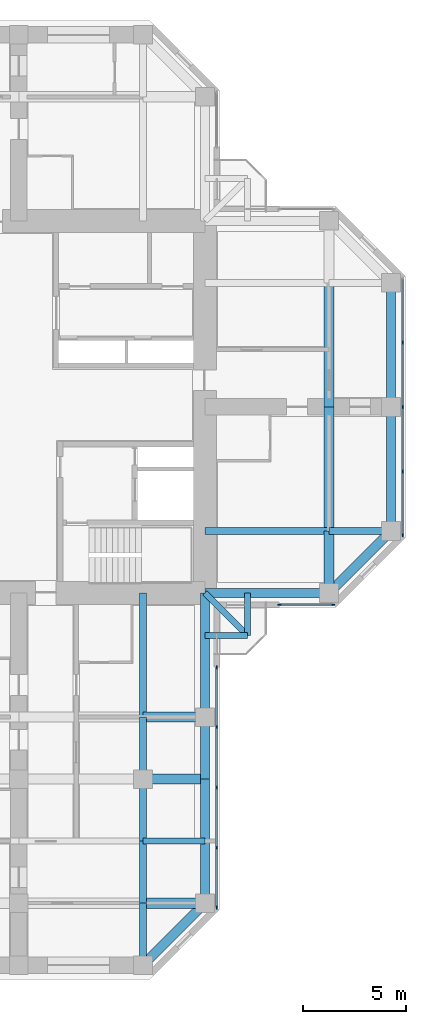
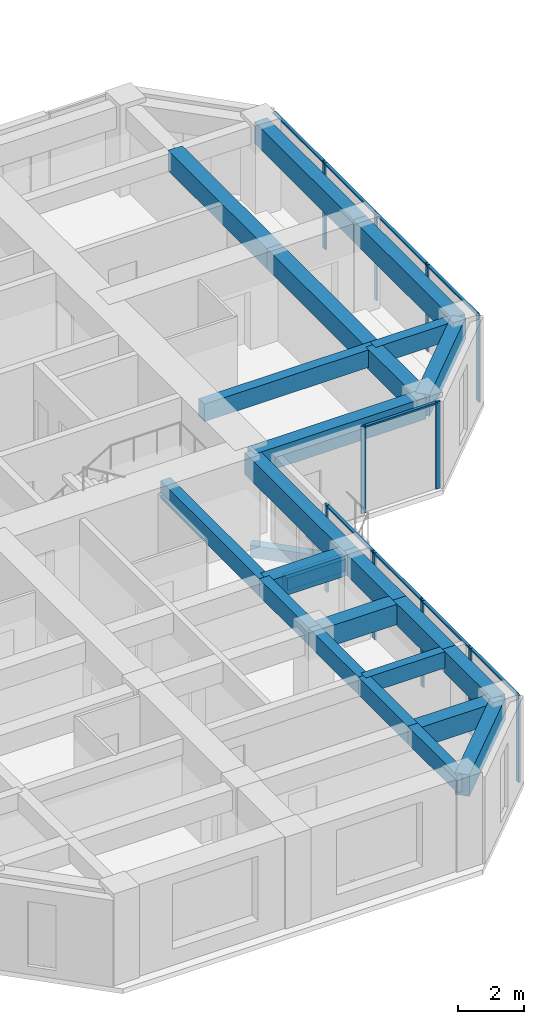
# One storey, part 4 of 13: 26 beams, 20 members, 3 elements without a shape of their own.
"""IFC4 building model written with IfcOpenShell, lengths in metres."""

import ifcopenshell
import ifcopenshell.guid

model = None  # the IFC model being written
_history = None  # IfcOwnerHistory: only IFC2X3 demands one
_inside = {}  # id of a spatial element -> (the spatial element, [elements in it])
_under = {}  # id of a project, library or spatial element -> (it, [spatial elements below it])
_declared = {}  # id of a project -> (the project, [libraries it declares])
_typed = {}  # id of a type object -> (the type object, [elements of that type])
_made_of = {}  # id of a material, layer set ... -> (it, [elements and type objects made of it])


def new_model(schema):
    """Start an empty IFC model of exactly this schema.

    Asked for "IFC4X3", IfcOpenShell would pick the latest addendum, in which some entities
    have other attributes; the version numbers below select the first issue.
    IFC2X3 requires an IfcOwnerHistory on every rooted entity: one is made here for all.
    """
    global model, _history
    if schema == "IFC4X3":
        model = ifcopenshell.file(schema_version=(4, 3, 0, 0))
    else:
        model = ifcopenshell.file(schema=schema)
    _inside.clear()
    _under.clear()
    _declared.clear()
    _typed.clear()
    _made_of.clear()
    _history = None
    if model.schema == "IFC2X3":
        org = make("IfcOrganization", Name="unknown")
        user = make(
            "IfcPersonAndOrganization",
            ThePerson=make("IfcPerson", FamilyName="unknown"),
            TheOrganization=org,
        )
        app = make(
            "IfcApplication",
            ApplicationDeveloper=org,
            Version="unknown",
            ApplicationFullName="unknown",
            ApplicationIdentifier="unknown",
        )
        _history = make(
            "IfcOwnerHistory",
            OwningUser=user,
            OwningApplication=app,
            ChangeAction="ADDED",
            CreationDate=0,
        )
    return model


def make(cls, **values):
    """One entity of the class cls with the attributes given. An attribute that is None is left unset."""
    return model.create_entity(
        cls, **{name: value for name, value in values.items() if value is not None}
    )


def rooted(cls, **values):
    """An entity with a GlobalId (a new one), such as an element, a storey or a relation."""
    return make(cls, GlobalId=ifcopenshell.guid.new(), OwnerHistory=_history, **values)


def si_unit(unit_type, name, prefix=None):
    """IfcSIUnit, for example si_unit("LENGTHUNIT", "METRE", prefix="MILLI")."""
    return make("IfcSIUnit", UnitType=unit_type, Prefix=prefix, Name=name)


def assignment(units):
    """IfcUnitAssignment: the units of a project."""
    return None if units is None else make("IfcUnitAssignment", Units=units)


def point(xyz):
    """IfcCartesianPoint."""
    return None if xyz is None else make("IfcCartesianPoint", Coordinates=xyz)


def direction(xyz):
    """IfcDirection."""
    return None if xyz is None else make("IfcDirection", DirectionRatios=xyz)


def frame(location, z_axis=None, x_axis=None):
    """IfcAxis2Placement3D, a coordinate frame: its origin and axes. An axis left out is left unset."""
    return make(
        "IfcAxis2Placement3D",
        Location=point(location),
        Axis=direction(z_axis),
        RefDirection=direction(x_axis),
    )


def frame_2d(location, x_axis=None):
    """IfcAxis2Placement2D, a coordinate frame in the plane: its origin and x axis."""
    return make(
        "IfcAxis2Placement2D", Location=point(location), RefDirection=direction(x_axis)
    )


def origin():
    """The frame at (0, 0, 0) with its axes left unset."""
    return frame((0.0, 0.0, 0.0))


def origin_2d():
    """The frame at (0, 0) in the plane with its x axis left unset."""
    return frame_2d((0.0, 0.0))


def place(relative_to, where):
    """IfcLocalPlacement: puts the frame where relative to a parent placement (None: the world)."""
    return make(
        "IfcLocalPlacement", PlacementRelTo=relative_to, RelativePlacement=where
    )


def context(
    kind, dimensions, precision=None, world=None, true_north=None, identifier=None
):
    """IfcGeometricRepresentationContext, for example the 3D "Model" context."""
    return make(
        "IfcGeometricRepresentationContext",
        ContextIdentifier=identifier,
        ContextType=kind,
        CoordinateSpaceDimension=dimensions,
        Precision=precision,
        WorldCoordinateSystem=world,
        TrueNorth=true_north,
    )


def subcontext(parent, identifier, kind, view, scale=None):
    """IfcGeometricRepresentationSubContext, for example "Body" below "Model"."""
    return make(
        "IfcGeometricRepresentationSubContext",
        ContextIdentifier=identifier,
        ContextType=kind,
        ParentContext=parent,
        TargetScale=scale,
        TargetView=view,
    )


def project(units=None, contexts=None):
    """IfcProject with its units and contexts."""
    return rooted(
        "IfcProject",
        Name="project",
        RepresentationContexts=contexts,
        UnitsInContext=assignment(units),
    )


def spatial(cls, under=None, at=None, **own):
    """A site, building, storey or space (cls), placed at a placement, below another one or the project."""
    s = rooted(cls, ObjectPlacement=at, **own)
    if under is not None:
        _under.setdefault(under.id(), (under, []))[1].append(s)
    return s


def profile(cls, at=None, kind="AREA", **sizes):
    """A parametric profile (cls). Its sizes go by their IFC names, for example OverallWidth=200.0."""
    return make(cls, ProfileType=kind, Position=at, **sizes)


def rectangle(**sizes):
    """IfcRectangleProfileDef."""
    return profile("IfcRectangleProfileDef", **sizes)


def extrude(swept, where, along, depth):
    """IfcExtrudedAreaSolid: the profile swept, set in the frame where, extruded along a direction by depth."""
    return make(
        "IfcExtrudedAreaSolid",
        SweptArea=swept,
        Position=where,
        ExtrudedDirection=direction(along),
        Depth=depth,
    )


def shape(context_of_items, identifier, shape_type, items):
    """IfcShapeRepresentation: the items that make up one representation, for example the "Body"."""
    return make(
        "IfcShapeRepresentation",
        ContextOfItems=context_of_items,
        RepresentationIdentifier=identifier,
        RepresentationType=shape_type,
        Items=items,
    )


def material(Name=None, Category=None):
    """IfcMaterial."""
    return make("IfcMaterial", Name=Name, Category=Category)


def material_profile(
    of_material, cross_section, Name=None, Category=None, Priority=None
):
    """IfcMaterialProfile: a cross section and its material."""
    return make(
        "IfcMaterialProfile",
        Name=Name,
        Material=of_material,
        Profile=cross_section,
        Priority=Priority,
        Category=Category,
    )


def profile_set(profiles, Name=None, composite=None):
    """IfcMaterialProfileSet."""
    return make(
        "IfcMaterialProfileSet",
        Name=Name,
        MaterialProfiles=profiles,
        CompositeProfile=composite,
    )


def made_of(thing, what):
    """Note that an element or type object is made of a material, layer set ...; save() writes the relation."""
    if what is not None:
        _made_of.setdefault(what.id(), (what, []))[1].append(thing)
    return thing


def type_object(cls, material=None, **own):
    """A type object (cls), such as IfcWallType, which elements share."""
    return made_of(rooted(cls, **own), material)


def element(
    cls,
    number,
    at=None,
    inside=None,
    cuts=None,
    type_object=None,
    material=None,
    context=None,
    identifier="Body",
    shape_type=None,
    held_by="IfcProductDefinitionShape",
    body=None,
    shapes=None,
    **own,
):
    """One element of the class cls, such as IfcWall. Its Tag is "e" and its number.

    at: its placement. inside: the storey or other place that contains it. cuts: it is an
    opening in that element (IfcRelVoidsElement). A single representation is given by context,
    identifier, shape_type and body (its items); several are given by shapes. held_by: the class
    of the entity that holds the representations. save() writes the other relations.
    """
    e = rooted(cls, Tag="e%d" % number, ObjectPlacement=at, **own)
    if body is not None:
        shapes = [shape(context, identifier, shape_type, body)]
    if shapes is not None:
        e.Representation = make(held_by, Representations=shapes)
    if inside is not None:
        _inside.setdefault(inside.id(), (inside, []))[1].append(e)
    if cuts is not None:
        rooted(
            "IfcRelVoidsElement", RelatingBuildingElement=cuts, RelatedOpeningElement=e
        )
    if type_object is not None:
        _typed.setdefault(type_object.id(), (type_object, []))[1].append(e)
    return made_of(e, material)


def aggregate(whole, parts):
    """IfcRelAggregates: a whole, such as a stair, and the parts it consists of."""
    return rooted("IfcRelAggregates", RelatingObject=whole, RelatedObjects=parts)


def save(model, path):
    """Write the relations noted so far, then the file.

    IfcRelAggregates (storeys below a building ...), IfcRelContainedInSpatialStructure (elements
    in a storey), IfcRelDefinesByType, IfcRelAssociatesMaterial and IfcRelDeclares: one each for
    every whole, place, type object, material and project.
    """
    for whole, parts in _under.values():
        aggregate(whole, parts)
    for where, things in _inside.values():
        rooted(
            "IfcRelContainedInSpatialStructure",
            RelatedElements=things,
            RelatingStructure=where,
        )
    for kind, things in _typed.values():
        rooted("IfcRelDefinesByType", RelatedObjects=things, RelatingType=kind)
    for what, things in _made_of.values():
        rooted("IfcRelAssociatesMaterial", RelatedObjects=things, RelatingMaterial=what)
    for by, libraries in _declared.values():
        rooted("IfcRelDeclares", RelatingContext=by, RelatedDefinitions=libraries)
    model.write(path)


model = new_model("IFC4")

# Units and contexts
model_context = context("Model", 3, precision=1e-05, world=origin(), true_north=direction((0.0, 1.0)))
body_context = subcontext(model_context, "Body", "Model", "MODEL_VIEW")
ifc_project = project(units=[si_unit("LENGTHUNIT", "METRE"), si_unit("AREAUNIT", "SQUARE_METRE"), si_unit("VOLUMEUNIT", "CUBIC_METRE"), si_unit("PLANEANGLEUNIT", "RADIAN"), si_unit("MASSUNIT", "GRAM", prefix="KILO")], contexts=[model_context])

# Site, building, storey
site_placement = place(None, origin())
site = spatial("IfcSite", under=ifc_project, at=site_placement, CompositionType="ELEMENT")
building_placement = place(site_placement, origin())
building = spatial("IfcBuilding", under=site, at=building_placement, Name="Torre Cruceta", CompositionType="ELEMENT")
storey_placement = place(building_placement, frame((0.0, 0.0, 193.300048828125)))
storey = spatial("IfcBuildingStorey", under=building, at=storey_placement, Name="L48", CompositionType="ELEMENT", Elevation=193.300048828125)

# Beams
ifc_material_1 = material(Name="Concrete G60 (fck 60 MPa)", Category="concrete")
ifc_material_profile_1 = material_profile(ifc_material_1, rectangle(XDim=0.300048828125, YDim=0.449951171875, at=origin_2d()), Name="RC 300X450")
ifc_profile_set_1 = profile_set([ifc_material_profile_1], Name="Concrete G60 (fck 60 MPa)")
beam_type_1 = type_object("IfcBeamType", Name="BALCONY CANTILEVER BEAM RC 300X450", PredefinedType="BEAM", material=ifc_profile_set_1)
beam_1_placement = place(storey_placement, frame((9.0, -9.0, -0.405029296875), z_axis=(0.707106781187, -0.707106781187, 0.0), x_axis=(0.707106781187, 0.707106781187, 0.0)))
element("IfcBeam", 1, at=beam_1_placement, inside=storey, type_object=beam_type_1, Name="BB1 balcony beam L48 S", PredefinedType="BEAM", context=body_context, shape_type="SweptSolid", body=[
    extrude(rectangle(XDim=0.300048828125, YDim=0.449951171875, at=origin_2d()), origin(), (0.0, 0.0, 1.0), 2.89990234375),
])
for number, where, z_axis, x_axis, name in (
    (2, (11.050537109375, -9.0, -0.405029296875), (0.0, -1.0, 0.0), (1.0, 0.0, 0.0), "BB1 balcony edge beam L48 S-X"),
    (3, (9.0, -11.050537109375, -0.405029296875), (1.0, 0.0, 0.0), (0.0, 1.0, 0.0), "BB1 balcony edge beam L48 S-Y"),
):
    element("IfcBeam", number, at=place(storey_placement, frame(where, z_axis=z_axis, x_axis=x_axis)), inside=storey, type_object=beam_type_1, Name=name, PredefinedType="BEAM", context=body_context, shape_type="SweptSolid", body=[
        extrude(rectangle(XDim=0.300048828125, YDim=0.449951171875, at=origin_2d()), origin(), (0.0, 0.0, 1.0), 2.050537109375),
    ])
ifc_material_2 = material(Name="Concrete G60 (fck 60 MPa)", Category="concrete")
ifc_material_profile_2 = material_profile(ifc_material_2, rectangle(XDim=0.35009765625, YDim=0.64990234375, at=origin_2d()), Name="RC 350X650")
ifc_profile_set_2 = profile_set([ifc_material_profile_2], Name="Concrete G60 (fck 60 MPa)")
beam_type_2 = type_object("IfcBeamType", Name="COLUMN LINE BEAM RC 350X650", PredefinedType="BEAM", material=ifc_profile_set_2)
beam_2_placement = place(storey_placement, frame((9.0, -6.0, 2.89501953125), z_axis=(1.0, 0.0, 0.0), x_axis=(0.0, 1.0, 0.0)))
element("IfcBeam", 4, at=beam_2_placement, inside=storey, type_object=beam_type_2, Name="LB7 L48 E col- 1", PredefinedType="BEAM", context=body_context, shape_type="SweptSolid", body=[
    extrude(rectangle(XDim=0.35009765625, YDim=0.64990234375, at=origin_2d()), origin(), (0.0, 0.0, 1.0), 6.0),
])
beam_3_placement = place(storey_placement, frame((15.0, -6.0, 2.89501953125), z_axis=(1.0, 0.0, 0.0), x_axis=(0.0, 1.0, 0.0)))
element("IfcBeam", 5, at=beam_3_placement, inside=storey, type_object=beam_type_2, Name="LB7 L48 E col- 2", PredefinedType="BEAM", context=body_context, shape_type="SweptSolid", body=[
    extrude(rectangle(XDim=0.35009765625, YDim=0.64990234375, at=origin_2d()), origin(), (0.0, 0.0, 1.0), 3.0),
])
beam_4_placement = place(storey_placement, frame((6.0, -9.0, 2.89501953125), z_axis=(0.0, -1.0, 0.0), x_axis=(1.0, 0.0, 0.0)))
element("IfcBeam", 6, at=beam_4_placement, inside=storey, type_object=beam_type_2, Name="LB7 L48 S col+ 1", PredefinedType="BEAM", context=body_context, shape_type="SweptSolid", body=[
    extrude(rectangle(XDim=0.35009765625, YDim=0.64990234375, at=origin_2d()), origin(), (0.0, 0.0, 1.0), 6.0),
])
for number, where, z_axis, x_axis, name in (
    (7, (6.0, -15.0, 2.89501953125), (0.0, -1.0, 0.0), (1.0, 0.0, 0.0), "LB7 L48 S col+ 2"),
    (8, (6.0, -18.0, 2.89501953125), (0.0, -1.0, 0.0), (1.0, 0.0, 0.0), "LB7 L48 S col+ 3"),
    (9, (6.0, -21.0, 2.89501953125), (0.0, -1.0, 0.0), (1.0, 0.0, 0.0), "LB7 L48 S col+ 4"),
    (10, (6.0, -24.0, 2.89501953125), (0.0, -1.0, 0.0), (1.0, 0.0, 0.0), "LB7 L48 S col+ 5"),
):
    element("IfcBeam", number, at=place(storey_placement, frame(where, z_axis=z_axis, x_axis=x_axis)), inside=storey, type_object=beam_type_2, Name=name, PredefinedType="BEAM", context=body_context, shape_type="SweptSolid", body=[
        extrude(rectangle(XDim=0.35009765625, YDim=0.64990234375, at=origin_2d()), origin(), (0.0, 0.0, 1.0), 3.0),
    ])
ifc_material_3 = material(Name="Concrete G60 (fck 60 MPa)", Category="concrete")
ifc_material_profile_3 = material_profile(ifc_material_3, rectangle(XDim=0.5, YDim=0.75, at=origin_2d()), Name="RC 500X750")
ifc_profile_set_3 = profile_set([ifc_material_profile_3], Name="Concrete G60 (fck 60 MPa)")
beam_type_3 = type_object("IfcBeamType", Name="CROSS BEAM RC 500X750", PredefinedType="BEAM", material=ifc_profile_set_3)
beam_5_placement = place(storey_placement, frame((15.0, -9.0, 2.844970703125), z_axis=(0.0, 1.0, 0.0), x_axis=(-1.0, 0.0, 0.0)))
element("IfcBeam", 11, at=beam_5_placement, inside=storey, type_object=beam_type_3, Name="GB6 L48 E cross15 1", PredefinedType="BEAM", context=body_context, shape_type="SweptSolid", body=[
    extrude(rectangle(XDim=0.5, YDim=0.75, at=origin_2d()), origin(), (0.0, 0.0, 1.0), 3.0),
])
for number, where, z_axis, x_axis, name in (
    (12, (15.0, -6.0, 2.844970703125), (0.0, 1.0, 0.0), (-1.0, 0.0, 0.0), "GB6 L48 E cross15 2"),
    (13, (15.0, 0.0, 2.844970703125), (0.0, 1.0, 0.0), (-1.0, 0.0, 0.0), "GB6 L48 E cross15 3"),
):
    element("IfcBeam", number, at=place(storey_placement, frame(where, z_axis=z_axis, x_axis=x_axis)), inside=storey, type_object=beam_type_3, Name=name, PredefinedType="BEAM", context=body_context, shape_type="SweptSolid", body=[
        extrude(rectangle(XDim=0.5, YDim=0.75, at=origin_2d()), origin(), (0.0, 0.0, 1.0), 6.0),
    ])
for number, where, z_axis, x_axis, name in (
    (14, (6.0, -15.0, 2.844970703125), (1.0, 0.0, 0.0), (0.0, 1.0, 0.0), "GB6 L48 S cross15 4"),
    (15, (6.0, -18.0, 2.844970703125), (1.0, 0.0, 0.0), (0.0, 1.0, 0.0), "GB6 L48 S cross18 4"),
    (16, (6.0, -24.0, 2.844970703125), (1.0, 0.0, 0.0), (0.0, 1.0, 0.0), "GB6 L48 S cross24 4"),
):
    element("IfcBeam", number, at=place(storey_placement, frame(where, z_axis=z_axis, x_axis=x_axis)), inside=storey, type_object=beam_type_3, Name=name, PredefinedType="BEAM", context=body_context, shape_type="SweptSolid", body=[
        extrude(rectangle(XDim=0.5, YDim=0.75, at=origin_2d()), origin(), (0.0, 0.0, 1.0), 3.0),
    ])

# Curtain wall, members
ifc_material_4 = material(Name="Aluminium unitised curtain wall", Category="aluminium")
curtain_wall_type = type_object("IfcCurtainWallType", Name="CURTAIN WALL CW-C CO-LIVING", PredefinedType="USERDEFINED", material=ifc_material_4)
curtain_wall_1_placement = place(storey_placement, origin())
curtain_wall_1 = element("IfcCurtainWall", 17, at=curtain_wall_1_placement, inside=storey, type_object=curtain_wall_type, Name="CW-C L48 E side 00", ObjectType="UNITISED", PredefinedType="USERDEFINED")
ifc_material_5 = material(Name="Aluminium mullion", Category="aluminium")
ifc_material_profile_4 = material_profile(ifc_material_5, rectangle(XDim=0.06005859375, YDim=0.159912109375, at=origin_2d()), Name="AL 60X160")
ifc_profile_set_4 = profile_set([ifc_material_profile_4], Name="Aluminium mullion")
member_type_1 = type_object("IfcMemberType", Name="CW-C MULLION 60X160", PredefinedType="MULLION", material=ifc_profile_set_4)
member_1_placement = place(storey_placement, frame((12.60009765625, -9.570068359375, 0.0), z_axis=(0.0, 0.0, 1.0), x_axis=(0.0, 1.0, 0.0)))
member_1 = element("IfcMember", 18, at=member_1_placement, type_object=member_type_1, Name="CW-C mullion 1", PredefinedType="MULLION", context=body_context, shape_type="SweptSolid", body=[
    extrude(rectangle(XDim=0.06005859375, YDim=0.159912109375, at=origin_2d()), origin(), (0.0, 0.0, 1.0), 3.219970703125),
])
member_2_placement = place(storey_placement, frame((15.2060546875, -9.570068359375, 0.0), z_axis=(0.0, 0.0, 1.0), x_axis=(0.0, 1.0, 0.0)))
member_2 = element("IfcMember", 19, at=member_2_placement, type_object=member_type_1, Name="CW-C mullion 2", PredefinedType="MULLION", context=body_context, shape_type="SweptSolid", body=[
    extrude(rectangle(XDim=0.06005859375, YDim=0.159912109375, at=origin_2d()), origin(), (0.0, 0.0, 1.0), 3.219970703125),
])

curtain_wall_2_placement = place(storey_placement, origin())
curtain_wall_2 = element("IfcCurtainWall", 20, at=curtain_wall_2_placement, inside=storey, type_object=curtain_wall_type, Name="CW-C L48 E tip 02", ObjectType="UNITISED", PredefinedType="USERDEFINED")
member_3_placement = place(storey_placement, frame((18.570068359375, -6.2060546875, 0.0), z_axis=(0.0, 0.0, 1.0), x_axis=(-1.0, 0.0, 0.0)))
member_3 = element("IfcMember", 21, at=member_3_placement, type_object=member_type_1, Name="CW-C mullion 1", PredefinedType="MULLION", context=body_context, shape_type="SweptSolid", body=[
    extrude(rectangle(XDim=0.06005859375, YDim=0.159912109375, at=origin_2d()), origin(), (0.0, 0.0, 1.0), 3.219970703125),
])
member_4_placement = place(storey_placement, frame((18.570068359375, -3.1181640625, 0.0), z_axis=(0.0, 0.0, 1.0), x_axis=(-1.0, 0.0, 0.0)))
member_4 = element("IfcMember", 22, at=member_4_placement, type_object=member_type_1, Name="CW-C mullion 2", PredefinedType="MULLION", context=body_context, shape_type="SweptSolid", body=[
    extrude(rectangle(XDim=0.06005859375, YDim=0.159912109375, at=origin_2d()), origin(), (0.0, 0.0, 1.0), 3.219970703125),
])
member_5_placement = place(storey_placement, frame((18.570068359375, 0.0, 0.0), z_axis=(0.0, 0.0, 1.0), x_axis=(-1.0, 0.0, 0.0)))
member_5 = element("IfcMember", 23, at=member_5_placement, type_object=member_type_1, Name="CW-C mullion 3", PredefinedType="MULLION", context=body_context, shape_type="SweptSolid", body=[
    extrude(rectangle(XDim=0.06005859375, YDim=0.159912109375, at=origin_2d()), origin(), (0.0, 0.0, 1.0), 3.219970703125),
])
member_6_placement = place(storey_placement, frame((18.570068359375, 3.1181640625, 0.0), z_axis=(0.0, 0.0, 1.0), x_axis=(-1.0, 0.0, 0.0)))
member_6 = element("IfcMember", 24, at=member_6_placement, type_object=member_type_1, Name="CW-C mullion 4", PredefinedType="MULLION", context=body_context, shape_type="SweptSolid", body=[
    extrude(rectangle(XDim=0.06005859375, YDim=0.159912109375, at=origin_2d()), origin(), (0.0, 0.0, 1.0), 3.219970703125),
])

curtain_wall_3_placement = place(storey_placement, origin())
curtain_wall_3 = element("IfcCurtainWall", 25, at=curtain_wall_3_placement, inside=storey, type_object=curtain_wall_type, Name="CW-C L48 S side 19", ObjectType="UNITISED", PredefinedType="USERDEFINED")
member_7_placement = place(storey_placement, frame((9.570068359375, -24.2060546875, 0.0), z_axis=(0.0, 0.0, 1.0), x_axis=(-1.0, 0.0, 0.0)))
member_7 = element("IfcMember", 26, at=member_7_placement, type_object=member_type_1, Name="CW-C mullion 1", PredefinedType="MULLION", context=body_context, shape_type="SweptSolid", body=[
    extrude(rectangle(XDim=0.06005859375, YDim=0.159912109375, at=origin_2d()), origin(), (0.0, 0.0, 1.0), 3.219970703125),
])
member_8_placement = place(storey_placement, frame((9.570068359375, -21.319580078125, 0.0), z_axis=(0.0, 0.0, 1.0), x_axis=(-1.0, 0.0, 0.0)))
member_8 = element("IfcMember", 27, at=member_8_placement, type_object=member_type_1, Name="CW-C mullion 2", PredefinedType="MULLION", context=body_context, shape_type="SweptSolid", body=[
    extrude(rectangle(XDim=0.06005859375, YDim=0.159912109375, at=origin_2d()), origin(), (0.0, 0.0, 1.0), 3.219970703125),
])
member_9_placement = place(storey_placement, frame((9.570068359375, -18.403076171875, 0.0), z_axis=(0.0, 0.0, 1.0), x_axis=(-1.0, 0.0, 0.0)))
member_9 = element("IfcMember", 28, at=member_9_placement, type_object=member_type_1, Name="CW-C mullion 3", PredefinedType="MULLION", context=body_context, shape_type="SweptSolid", body=[
    extrude(rectangle(XDim=0.06005859375, YDim=0.159912109375, at=origin_2d()), origin(), (0.0, 0.0, 1.0), 3.219970703125),
])
member_10_placement = place(storey_placement, frame((9.570068359375, -15.486572265625, 0.0), z_axis=(0.0, 0.0, 1.0), x_axis=(-1.0, 0.0, 0.0)))
member_10 = element("IfcMember", 29, at=member_10_placement, type_object=member_type_1, Name="CW-C mullion 4", PredefinedType="MULLION", context=body_context, shape_type="SweptSolid", body=[
    extrude(rectangle(XDim=0.06005859375, YDim=0.159912109375, at=origin_2d()), origin(), (0.0, 0.0, 1.0), 3.219970703125),
])
member_11_placement = place(storey_placement, frame((9.570068359375, -12.60009765625, 0.0), z_axis=(0.0, 0.0, 1.0), x_axis=(-1.0, 0.0, 0.0)))
member_11 = element("IfcMember", 30, at=member_11_placement, type_object=member_type_1, Name="CW-C mullion 5", PredefinedType="MULLION", context=body_context, shape_type="SweptSolid", body=[
    extrude(rectangle(XDim=0.06005859375, YDim=0.159912109375, at=origin_2d()), origin(), (0.0, 0.0, 1.0), 3.219970703125),
])

# Member
ifc_material_6 = material(Name="Aluminium transom", Category="aluminium")
ifc_material_profile_5 = material_profile(ifc_material_6, rectangle(XDim=0.10009765625, YDim=0.06005859375, at=origin_2d()), Name="AL 100X60")
ifc_profile_set_5 = profile_set([ifc_material_profile_5], Name="Aluminium transom")
member_type_2 = type_object("IfcMemberType", Name="CW-C TRANSOM 60X100", PredefinedType="USERDEFINED", material=ifc_profile_set_5)
member_12_placement = place(storey_placement, frame((12.6298828125, -9.570068359375, 3.18994140625), z_axis=(1.0, 0.0, 0.0), x_axis=(0.0, 1.0, 0.0)))
member_12 = element("IfcMember", 31, at=member_12_placement, type_object=member_type_2, Name="CW-C transom 1", ObjectType="TRANSOM", PredefinedType="USERDEFINED", context=body_context, shape_type="SweptSolid", body=[
    extrude(rectangle(XDim=0.10009765625, YDim=0.06005859375, at=origin_2d()), origin(), (0.0, 0.0, 1.0), 2.546142578125),
])

aggregate(curtain_wall_1, [member_1, member_2, member_12])

member_13_placement = place(storey_placement, frame((18.570068359375, -6.176025390625, 3.18994140625), z_axis=(0.0, 1.0, 0.0), x_axis=(-1.0, 0.0, 0.0)))
member_13 = element("IfcMember", 32, at=member_13_placement, type_object=member_type_2, Name="CW-C transom 1", ObjectType="TRANSOM", PredefinedType="USERDEFINED", context=body_context, shape_type="SweptSolid", body=[
    extrude(rectangle(XDim=0.10009765625, YDim=0.06005859375, at=origin_2d()), origin(), (0.0, 0.0, 1.0), 3.028076171875),
])

member_14_placement = place(storey_placement, frame((18.570068359375, -3.088134765625, 3.18994140625), z_axis=(0.0, 1.0, 0.0), x_axis=(-1.0, 0.0, 0.0)))
member_14 = element("IfcMember", 33, at=member_14_placement, type_object=member_type_2, Name="CW-C transom 2", ObjectType="TRANSOM", PredefinedType="USERDEFINED", context=body_context, shape_type="SweptSolid", body=[
    extrude(rectangle(XDim=0.10009765625, YDim=0.06005859375, at=origin_2d()), origin(), (0.0, 0.0, 1.0), 3.05810546875),
])

member_15_placement = place(storey_placement, frame((18.570068359375, 0.030029296875, 3.18994140625), z_axis=(0.0, 1.0, 0.0), x_axis=(-1.0, 0.0, 0.0)))
member_15 = element("IfcMember", 34, at=member_15_placement, type_object=member_type_2, Name="CW-C transom 3", ObjectType="TRANSOM", PredefinedType="USERDEFINED", context=body_context, shape_type="SweptSolid", body=[
    extrude(rectangle(XDim=0.10009765625, YDim=0.06005859375, at=origin_2d()), origin(), (0.0, 0.0, 1.0), 3.05810546875),
])

member_16_placement = place(storey_placement, frame((18.570068359375, 3.14794921875, 3.18994140625), z_axis=(0.0, 1.0, 0.0), x_axis=(-1.0, 0.0, 0.0)))
member_16 = element("IfcMember", 35, at=member_16_placement, type_object=member_type_2, Name="CW-C transom 4", ObjectType="TRANSOM", PredefinedType="USERDEFINED", context=body_context, shape_type="SweptSolid", body=[
    extrude(rectangle(XDim=0.10009765625, YDim=0.06005859375, at=origin_2d()), origin(), (0.0, 0.0, 1.0), 3.028076171875),
])

aggregate(curtain_wall_2, [member_3, member_4, member_5, member_6, member_13, member_14, member_15, member_16])

member_17_placement = place(storey_placement, frame((9.570068359375, -24.176025390625, 3.18994140625), z_axis=(0.0, 1.0, 0.0), x_axis=(-1.0, 0.0, 0.0)))
member_17 = element("IfcMember", 36, at=member_17_placement, type_object=member_type_2, Name="CW-C transom 1", ObjectType="TRANSOM", PredefinedType="USERDEFINED", context=body_context, shape_type="SweptSolid", body=[
    extrude(rectangle(XDim=0.10009765625, YDim=0.06005859375, at=origin_2d()), origin(), (0.0, 0.0, 1.0), 2.826416015625),
])

member_18_placement = place(storey_placement, frame((9.570068359375, -21.28955078125, 3.18994140625), z_axis=(0.0, 1.0, 0.0), x_axis=(-1.0, 0.0, 0.0)))
member_18 = element("IfcMember", 37, at=member_18_placement, type_object=member_type_2, Name="CW-C transom 2", ObjectType="TRANSOM", PredefinedType="USERDEFINED", context=body_context, shape_type="SweptSolid", body=[
    extrude(rectangle(XDim=0.10009765625, YDim=0.06005859375, at=origin_2d()), origin(), (0.0, 0.0, 1.0), 2.8564453125),
])

member_19_placement = place(storey_placement, frame((9.570068359375, -18.373046875, 3.18994140625), z_axis=(0.0, 1.0, 0.0), x_axis=(-1.0, 0.0, 0.0)))
member_19 = element("IfcMember", 38, at=member_19_placement, type_object=member_type_2, Name="CW-C transom 3", ObjectType="TRANSOM", PredefinedType="USERDEFINED", context=body_context, shape_type="SweptSolid", body=[
    extrude(rectangle(XDim=0.10009765625, YDim=0.06005859375, at=origin_2d()), origin(), (0.0, 0.0, 1.0), 2.8564453125),
])

member_20_placement = place(storey_placement, frame((9.570068359375, -15.45654296875, 3.18994140625), z_axis=(0.0, 1.0, 0.0), x_axis=(-1.0, 0.0, 0.0)))
member_20 = element("IfcMember", 39, at=member_20_placement, type_object=member_type_2, Name="CW-C transom 4", ObjectType="TRANSOM", PredefinedType="USERDEFINED", context=body_context, shape_type="SweptSolid", body=[
    extrude(rectangle(XDim=0.10009765625, YDim=0.06005859375, at=origin_2d()), origin(), (0.0, 0.0, 1.0), 2.82666015625),
])

aggregate(curtain_wall_3, [member_7, member_8, member_9, member_10, member_11, member_17, member_18, member_19, member_20])

# Beams
ifc_material_7 = material(Name="Concrete G60 (fck 60 MPa)", Category="concrete")
ifc_material_profile_6 = material_profile(ifc_material_7, rectangle(XDim=0.300048828125, YDim=0.60009765625, at=origin_2d()), Name="RC 300X600")
ifc_profile_set_6 = profile_set([ifc_material_profile_6], Name="Concrete G60 (fck 60 MPa)")
beam_type_4 = type_object("IfcBeamType", Name="SECONDARY BEAM RC 300X600", PredefinedType="JOIST", material=ifc_profile_set_6)
beam_6_placement = place(storey_placement, frame((6.0, -21.0, 2.919921875), z_axis=(1.0, 0.0, 0.0), x_axis=(0.0, 1.0, 0.0)))
element("IfcBeam", 40, at=beam_6_placement, inside=storey, type_object=beam_type_4, Name="JB6 L48 S sec21 4", PredefinedType="JOIST", context=body_context, shape_type="SweptSolid", body=[
    extrude(rectangle(XDim=0.300048828125, YDim=0.60009765625, at=origin_2d()), origin(), (0.0, 0.0, 1.0), 3.0),
])
ifc_material_8 = material(Name="Concrete G60 (fck 60 MPa)", Category="concrete")
ifc_material_profile_7 = material_profile(ifc_material_8, rectangle(XDim=0.449951171875, YDim=0.800048828125, at=origin_2d()), Name="RC 450X800")
ifc_profile_set_7 = profile_set([ifc_material_profile_7], Name="Concrete G60 (fck 60 MPa)")
beam_type_5 = type_object("IfcBeamType", Name="SPANDREL BEAM RC 450X800", PredefinedType="SPANDREL", material=ifc_profile_set_7)
beam_7_placement = place(storey_placement, frame((9.0, -9.0, 2.820068359375), z_axis=(1.0, 0.0, 0.0), x_axis=(0.0, 1.0, 0.0)))
element("IfcBeam", 41, at=beam_7_placement, inside=storey, type_object=beam_type_5, Name="SB6 L48 E side- 1", PredefinedType="SPANDREL", context=body_context, shape_type="SweptSolid", body=[
    extrude(rectangle(XDim=0.449951171875, YDim=0.800048828125, at=origin_2d()), origin(), (0.0, 0.0, 1.0), 6.0),
])
beam_8_placement = place(storey_placement, frame((15.0, -9.0, 2.820068359375), z_axis=(0.707106781187, 0.707106781187, 0.0), x_axis=(-0.707106781187, 0.707106781187, 0.0)))
element("IfcBeam", 42, at=beam_8_placement, inside=storey, type_object=beam_type_5, Name="SB6 L48 E side- 2", PredefinedType="SPANDREL", context=body_context, shape_type="SweptSolid", body=[
    extrude(rectangle(XDim=0.449951171875, YDim=0.800048828125, at=origin_2d()), origin(), (0.0, 0.0, 1.0), 4.24267578125),
])
for number, where, z_axis, x_axis, name in (
    (43, (18.0, -6.0, 2.820068359375), (0.0, 1.0, 0.0), (-1.0, 0.0, 0.0), "SB6 L48 E tip 1"),
    (44, (18.0, 0.0, 2.820068359375), (0.0, 1.0, 0.0), (-1.0, 0.0, 0.0), "SB6 L48 E tip 2"),
    (45, (9.0, -9.0, 2.820068359375), (0.0, -1.0, 0.0), (1.0, 0.0, 0.0), "SB6 L48 S side+ 1"),
):
    element("IfcBeam", number, at=place(storey_placement, frame(where, z_axis=z_axis, x_axis=x_axis)), inside=storey, type_object=beam_type_5, Name=name, PredefinedType="SPANDREL", context=body_context, shape_type="SweptSolid", body=[
        extrude(rectangle(XDim=0.449951171875, YDim=0.800048828125, at=origin_2d()), origin(), (0.0, 0.0, 1.0), 6.0),
    ])
for number, where, z_axis, x_axis, name in (
    (46, (9.0, -15.0, 2.820068359375), (0.0, -1.0, 0.0), (1.0, 0.0, 0.0), "SB6 L48 S side+ 2"),
    (47, (9.0, -18.0, 2.820068359375), (0.0, -1.0, 0.0), (1.0, 0.0, 0.0), "SB6 L48 S side+ 3"),
    (48, (9.0, -21.0, 2.820068359375), (0.0, -1.0, 0.0), (1.0, 0.0, 0.0), "SB6 L48 S side+ 4"),
):
    element("IfcBeam", number, at=place(storey_placement, frame(where, z_axis=z_axis, x_axis=x_axis)), inside=storey, type_object=beam_type_5, Name=name, PredefinedType="SPANDREL", context=body_context, shape_type="SweptSolid", body=[
        extrude(rectangle(XDim=0.449951171875, YDim=0.800048828125, at=origin_2d()), origin(), (0.0, 0.0, 1.0), 3.0),
    ])
beam_9_placement = place(storey_placement, frame((9.0, -24.0, 2.820068359375), z_axis=(-0.707106781187, -0.707106781187, 0.0), x_axis=(0.707106781187, -0.707106781187, 0.0)))
element("IfcBeam", 49, at=beam_9_placement, inside=storey, type_object=beam_type_5, Name="SB6 L48 S side+ 5", PredefinedType="SPANDREL", context=body_context, shape_type="SweptSolid", body=[
    extrude(rectangle(XDim=0.449951171875, YDim=0.800048828125, at=origin_2d()), origin(), (0.0, 0.0, 1.0), 4.24267578125),
])

save(model, "model.ifc")
